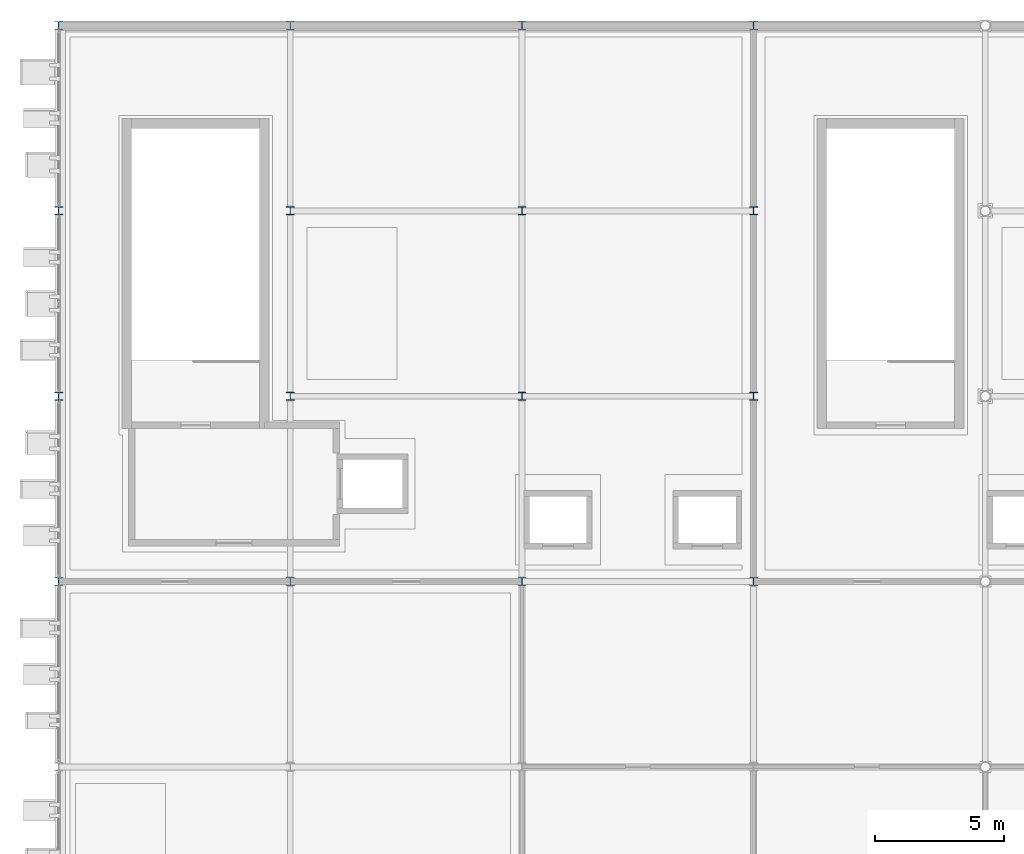
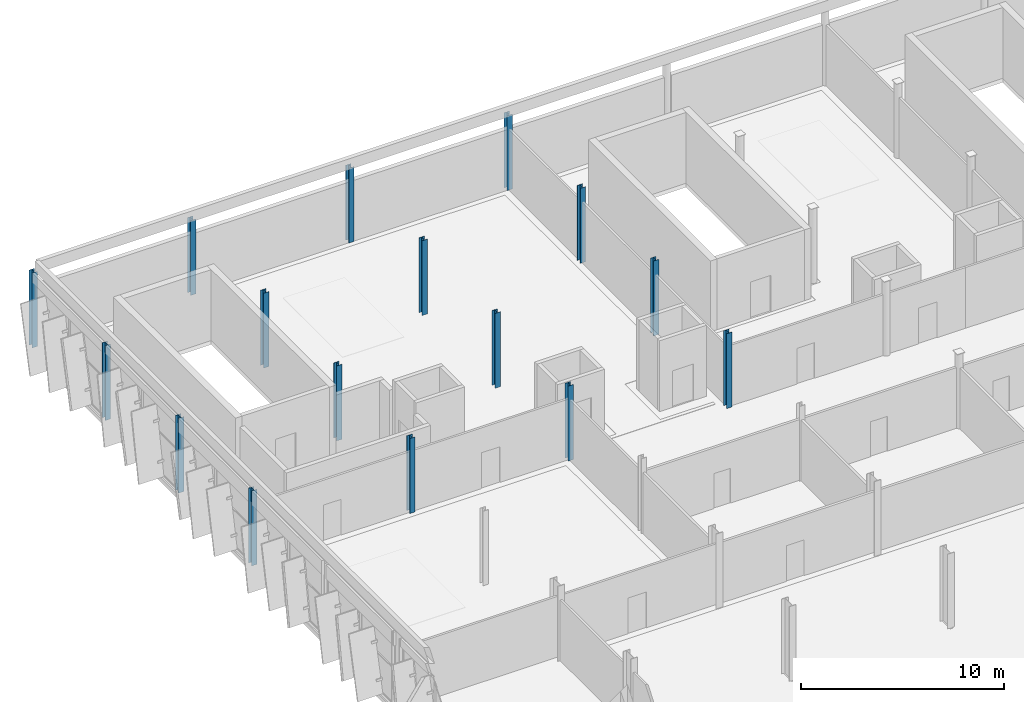
# One storey, part 3 of 52: 16 columns.
"""IFC4 building model written with IfcOpenShell, lengths in metres."""

from ifc_helpers import new_model, si_unit, direction, frame, origin, origin_2d, place, context, subcontext, project, spatial, i_section, extrude, material, material_profile, profile_set, type_object, element, save


model = new_model("IFC4")

# Units and contexts
model_context = context("Model", 3, precision=1e-05, world=origin(), true_north=direction((0.0, 1.0)))
body_context = subcontext(model_context, "Body", "Model", "MODEL_VIEW")
ifc_project = project(units=[si_unit("LENGTHUNIT", "METRE"), si_unit("AREAUNIT", "SQUARE_METRE"), si_unit("VOLUMEUNIT", "CUBIC_METRE"), si_unit("PLANEANGLEUNIT", "RADIAN"), si_unit("MASSUNIT", "GRAM", prefix="KILO")], contexts=[model_context])

# Site, building, storey
site_placement = place(None, origin())
site = spatial("IfcSite", under=ifc_project, at=site_placement, CompositionType="ELEMENT")
building_placement = place(site_placement, origin())
building = spatial("IfcBuilding", under=site, at=building_placement, Name="Celestram Park Convention Centre", CompositionType="ELEMENT")
storey_placement = place(building_placement, frame((0.0, 0.0, 24.300048828125)))
storey = spatial("IfcBuildingStorey", under=building, at=storey_placement, Name="L05", CompositionType="ELEMENT", Elevation=24.300048828125)

# Columns
ifc_material = material(Name="Steel ASTM A992 Grade 50", Category="steel")
ifc_material_profile = material_profile(ifc_material, i_section(OverallWidth=0.304931640625, OverallDepth=0.306884765625, WebThickness=0.010009765625, FlangeThickness=0.015380859375, at=origin_2d()), Name="W12X65")
ifc_profile_set = profile_set([ifc_material_profile], Name="Steel ASTM A992 Grade 50")
column_type = type_object("IfcColumnType", Name="STR-COL-W12X65", PredefinedType="COLUMN", material=ifc_profile_set)
for number, where, z_axis, x_axis, name in (
    (1, (36.0, 144.0, 0.0), (0.0, 0.0, 1.0), (1.0, 0.0, 0.0), "Column CN-L05-006"),
    (2, (36.0, 151.199951171875, 0.0), (0.0, 0.0, 1.0), (1.0, 0.0, 0.0), "Column CN-L05-007"),
    (3, (36.0, 158.39990234375, 0.0), (0.0, 0.0, 1.0), (1.0, 0.0, 0.0), "Column CN-L05-008"),
    (4, (36.0, 165.60009765625, 0.0), (0.0, 0.0, 1.0), (1.0, 0.0, 0.0), "Column CN-L05-009"),
    (5, (45.0, 144.0, 0.0), (0.0, 0.0, 1.0), (1.0, 0.0, 0.0), "Column CN-L05-015"),
    (6, (45.0, 151.199951171875, 0.0), (0.0, 0.0, 1.0), (1.0, 0.0, 0.0), "Column CN-L05-016"),
    (7, (45.0, 158.39990234375, 0.0), (0.0, 0.0, 1.0), (1.0, 0.0, 0.0), "Column CN-L05-017"),
    (8, (45.0, 165.60009765625, 0.0), (0.0, 0.0, 1.0), (1.0, 0.0, 0.0), "Column CN-L05-018"),
    (9, (54.0, 144.0, 0.0), (0.0, 0.0, 1.0), (1.0, 0.0, 0.0), "Column CN-L05-023"),
    (10, (54.0, 151.199951171875, 0.0), (0.0, 0.0, 1.0), (1.0, 0.0, 0.0), "Column CN-L05-024"),
    (11, (54.0, 158.39990234375, 0.0), (0.0, 0.0, 1.0), (1.0, 0.0, 0.0), "Column CN-L05-025"),
    (12, (54.0, 165.60009765625, 0.0), (0.0, 0.0, 1.0), (1.0, 0.0, 0.0), "Column CN-L05-026"),
    (13, (63.0, 144.0, 0.0), (0.0, 0.0, 1.0), (1.0, 0.0, 0.0), "Column CN-L05-031"),
    (14, (63.0, 151.199951171875, 0.0), (0.0, 0.0, 1.0), (1.0, 0.0, 0.0), "Column CN-L05-032"),
    (15, (63.0, 158.39990234375, 0.0), (0.0, 0.0, 1.0), (1.0, 0.0, 0.0), "Column CN-L05-033"),
    (16, (63.0, 165.60009765625, 0.0), (0.0, 0.0, 1.0), (1.0, 0.0, 0.0), "Column CN-L05-034"),
):
    element("IfcColumn", number, at=place(storey_placement, frame(where, z_axis=z_axis, x_axis=x_axis)), inside=storey, type_object=column_type, Name=name, PredefinedType="COLUMN", context=body_context, shape_type="SweptSolid", body=[
        extrude(i_section(OverallWidth=0.304931640625, OverallDepth=0.306884765625, WebThickness=0.010009765625, FlangeThickness=0.015380859375, at=origin_2d()), origin(), (0.0, 0.0, 1.0), 4.5),
    ])

save(model, "model.ifc")
